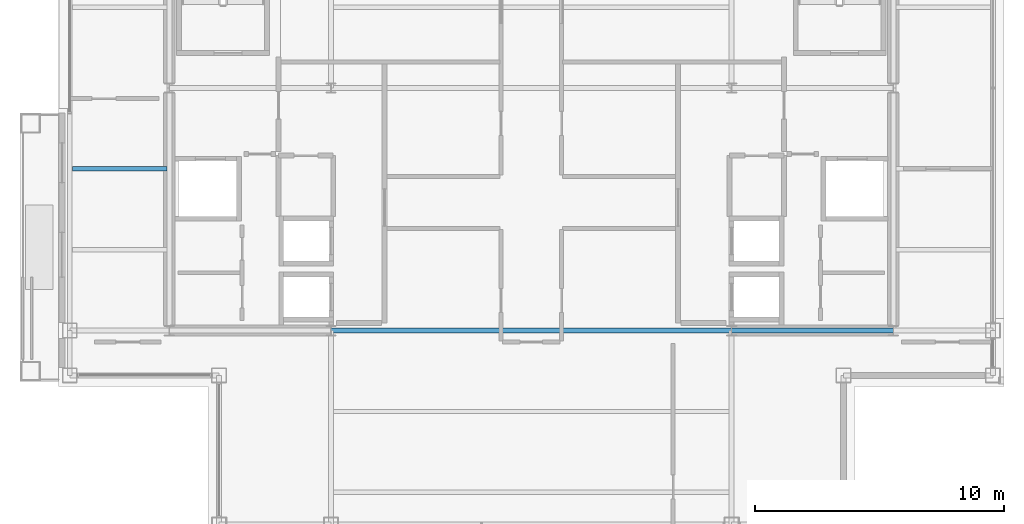
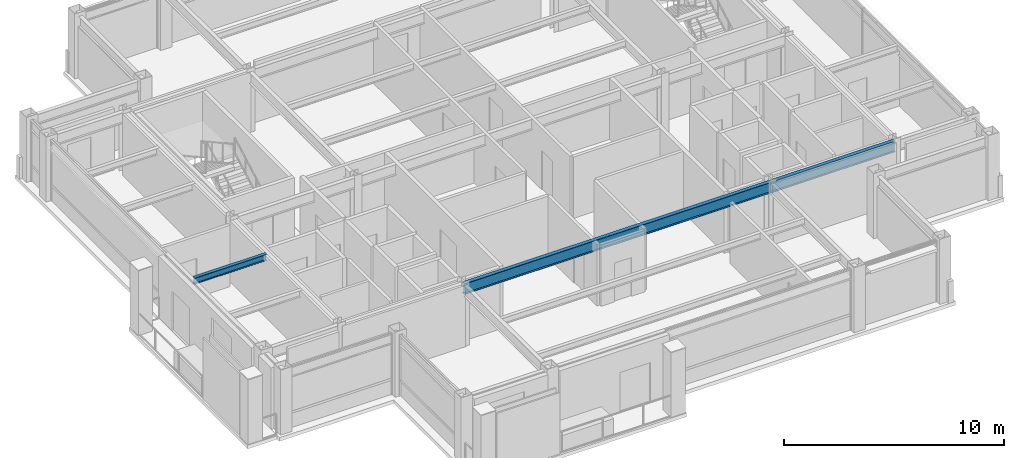
# One storey, part 8 of 24: 3 beams.
"""IFC4 building model written with IfcOpenShell, lengths in metres."""

from ifc_helpers import new_model, si_unit, direction, frame, origin, origin_2d, place, context, subcontext, project, spatial, i_section, extrude, material, material_profile, profile_set, type_object, element, save


model = new_model("IFC4")

# Units and contexts
model_context = context("Model", 3, precision=1e-05, world=origin(), true_north=direction((0.0, 1.0)))
body_context = subcontext(model_context, "Body", "Model", "MODEL_VIEW")
ifc_project = project(units=[si_unit("LENGTHUNIT", "METRE"), si_unit("AREAUNIT", "SQUARE_METRE"), si_unit("VOLUMEUNIT", "CUBIC_METRE"), si_unit("PLANEANGLEUNIT", "RADIAN"), si_unit("MASSUNIT", "GRAM", prefix="KILO")], contexts=[model_context])

# Site, building, storey
site_placement = place(None, origin())
site = spatial("IfcSite", under=ifc_project, at=site_placement, CompositionType="ELEMENT")
building_placement = place(site_placement, origin())
building = spatial("IfcBuilding", under=site, at=building_placement, Name="Brelmoor Portico Tower", CompositionType="ELEMENT")
storey_placement = place(building_placement, frame((0.0, 0.0, 254.39990234375)))
storey = spatial("IfcBuildingStorey", under=building, at=storey_placement, Name="L67", CompositionType="ELEMENT", Elevation=254.39990234375)

# Beams
ifc_material = material(Name="Steel Q355B", Category="steel")
ifc_material_profile_1 = material_profile(ifc_material, i_section(OverallWidth=0.175048828125, OverallDepth=0.35009765625, WebThickness=0.007080078125, FlangeThickness=0.010986328125, at=origin_2d()), Name="HN 350x175x7x11")
ifc_profile_set_1 = profile_set([ifc_material_profile_1], Name="Steel Q355B")
beam_type_1 = type_object("IfcBeamType", Name="BM-JS-350", PredefinedType="JOIST", material=ifc_profile_set_1)
beam_1_placement = place(storey_placement, frame((-18.449951171875, -3.25, 3.22509765625), z_axis=(1.0, 0.0, 0.0), x_axis=(0.0, 1.0, 0.0)))
element("IfcBeam", 1, at=beam_1_placement, inside=storey, type_object=beam_type_1, Name="L67 Secondary Wing Joist JS-W08", PredefinedType="JOIST", context=body_context, shape_type="SweptSolid", body=[
    extrude(i_section(OverallWidth=0.175048828125, OverallDepth=0.35009765625, WebThickness=0.007080078125, FlangeThickness=0.010986328125, at=origin_2d()), origin(), (0.0, 0.0, 1.0), 3.800048828125),
])
ifc_material_profile_2 = material_profile(ifc_material, i_section(OverallWidth=0.199951171875, OverallDepth=0.60009765625, WebThickness=0.010986328125, FlangeThickness=0.01708984375, at=origin_2d()), Name="HN 600x200x11x17")
ifc_profile_set_2 = profile_set([ifc_material_profile_2], Name="Steel Q355B")
beam_type_2 = type_object("IfcBeamType", Name="BM-PG-600", PredefinedType="BEAM", material=ifc_profile_set_2)
beam_2_placement = place(storey_placement, frame((-8.050048828125, -9.75, 3.10009765625), z_axis=(1.0, 0.0, 0.0), x_axis=(0.0, 1.0, 0.0)))
element("IfcBeam", 2, at=beam_2_placement, inside=storey, type_object=beam_type_2, Name="L67 Primary Floor Girder PG-13", PredefinedType="BEAM", context=body_context, shape_type="SweptSolid", body=[
    extrude(i_section(OverallWidth=0.199951171875, OverallDepth=0.60009765625, WebThickness=0.010986328125, FlangeThickness=0.01708984375, at=origin_2d()), origin(), (0.0, 0.0, 1.0), 16.10009765625),
])
beam_3_placement = place(storey_placement, frame((8.050048828125, -9.75, 3.10009765625), z_axis=(1.0, 0.0, 0.0), x_axis=(0.0, 1.0, 0.0)))
element("IfcBeam", 3, at=beam_3_placement, inside=storey, type_object=beam_type_2, Name="L67 Primary Floor Girder PG-14", PredefinedType="BEAM", context=body_context, shape_type="SweptSolid", body=[
    extrude(i_section(OverallWidth=0.199951171875, OverallDepth=0.60009765625, WebThickness=0.010986328125, FlangeThickness=0.01708984375, at=origin_2d()), origin(), (0.0, 0.0, 1.0), 6.5),
])

save(model, "model.ifc")
